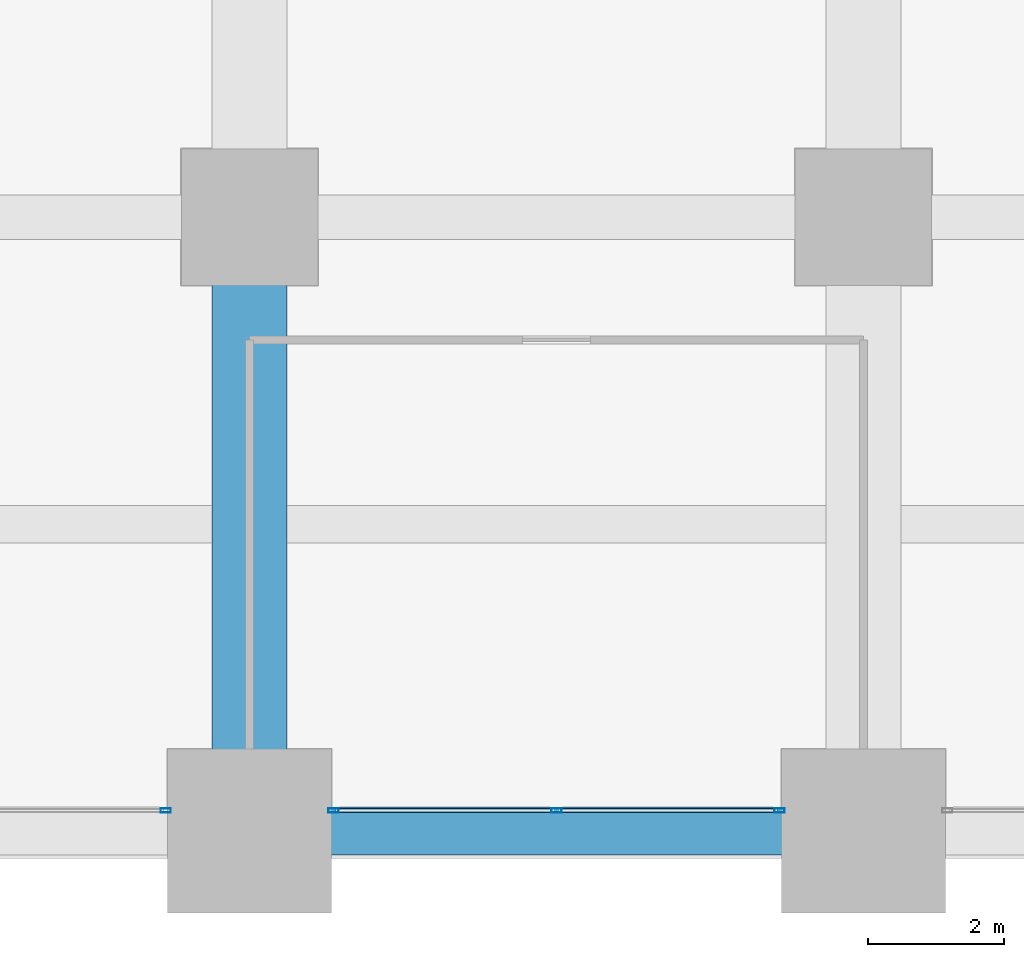
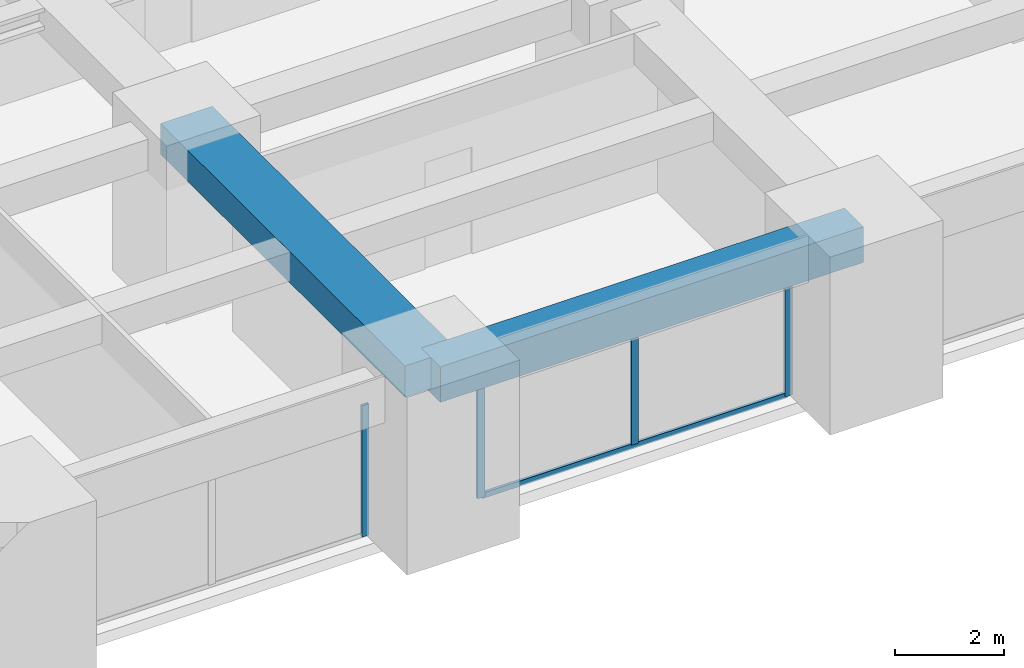
# One storey, part 13 of 39: 5 members, 2 beams, 2 elements without a shape of their own.
"""IFC4 building model written with IfcOpenShell, lengths in metres."""

from ifc_helpers import new_model, si_unit, direction, frame, origin, origin_2d, place, context, subcontext, project, spatial, rectangle, hollow_rectangle, extrude, material, material_profile, profile_set, type_object, element, aggregate, save


model = new_model("IFC4")

# Units and contexts
model_context = context("Model", 3, precision=1e-05, world=origin(), true_north=direction((0.0, 1.0)))
body_context = subcontext(model_context, "Body", "Model", "MODEL_VIEW")
ifc_project = project(units=[si_unit("LENGTHUNIT", "METRE"), si_unit("AREAUNIT", "SQUARE_METRE"), si_unit("VOLUMEUNIT", "CUBIC_METRE"), si_unit("PLANEANGLEUNIT", "RADIAN"), si_unit("MASSUNIT", "GRAM", prefix="KILO")], contexts=[model_context])

# Site, building, storey
site_placement = place(None, origin())
site = spatial("IfcSite", under=ifc_project, at=site_placement, CompositionType="ELEMENT")
building_placement = place(site_placement, origin())
building = spatial("IfcBuilding", under=site, at=building_placement, Name="Zorevar Civic Tower", CompositionType="ELEMENT")
storey_placement = place(building_placement, frame((0.0, 0.0, 121.0)))
storey = spatial("IfcBuildingStorey", under=building, at=storey_placement, Name="L29", CompositionType="ELEMENT", Elevation=121.0)

# Beam
ifc_material_1 = material(Name="Concrete C50/60", Category="concrete")
ifc_material_profile_1 = material_profile(ifc_material_1, rectangle(XDim=1.10009765625, YDim=0.699951171875, at=origin_2d()), Name="RC 1100x700")
ifc_profile_set_1 = profile_set([ifc_material_profile_1], Name="Concrete C50/60")
beam_type_1 = type_object("IfcBeamType", Name="Beam RC 1100x700", PredefinedType="BEAM", material=ifc_profile_set_1)
beam_1_placement = place(storey_placement, frame((36.0, 0.0, 3.39990234375), z_axis=(0.0, 1.0, 0.0), x_axis=(-1.0, 0.0, 0.0)))
element("IfcBeam", 1, at=beam_1_placement, inside=storey, type_object=beam_type_1, Name="Girder L30", PredefinedType="BEAM", context=body_context, shape_type="SweptSolid", body=[
    extrude(rectangle(XDim=1.10009765625, YDim=0.699951171875, at=origin_2d()), origin(), (0.0, 0.0, 1.0), 9.0),
])

# Curtain wall, member
ifc_material_2 = material(Name="Dark grey solar-control glass in black aluminium frame", Category="aluminium")
curtain_wall_type = type_object("IfcCurtainWallType", Name="Curtain wall CW3 mid zone", PredefinedType="NOTDEFINED", material=ifc_material_2)
curtain_wall_1_placement = place(storey_placement, origin())
curtain_wall_1 = element("IfcCurtainWall", 2, at=curtain_wall_1_placement, inside=storey, type_object=curtain_wall_type, Name="CW3 L29", PredefinedType="NOTDEFINED")
ifc_material_3 = material(Name="Aluminium, black anodised", Category="aluminium")
ifc_material_profile_2 = material_profile(ifc_material_3, hollow_rectangle(XDim=0.06005859375, YDim=0.14990234375, WallThickness=0.00390625, at=origin_2d()), Name="AL 150x60x4")
ifc_profile_set_2 = profile_set([ifc_material_profile_2], Name="Aluminium, black anodised")
member_type_1 = type_object("IfcMemberType", Name="CW3 mullion AL 150x60x4", PredefinedType="MULLION", material=ifc_profile_set_2)
member_1_placement = place(storey_placement, frame((34.77001953125, 0.300048828125, 0.0), z_axis=(0.0, 0.0, 1.0), x_axis=(0.0, 1.0, 0.0)))
member_1 = element("IfcMember", 3, at=member_1_placement, type_object=member_type_1, Name="CW3 mullion 3", PredefinedType="MULLION", context=body_context, shape_type="SweptSolid", body=[
    extrude(hollow_rectangle(XDim=0.06005859375, YDim=0.14990234375, WallThickness=0.00390625, at=origin_2d()), origin(), (0.0, 0.0, 1.0), 2.949951171875),
])
aggregate(curtain_wall_1, [member_1])

# Curtain wall, members
curtain_wall_2_placement = place(storey_placement, origin())
curtain_wall_2 = element("IfcCurtainWall", 4, at=curtain_wall_2_placement, inside=storey, type_object=curtain_wall_type, Name="CW3 L29", PredefinedType="NOTDEFINED")
member_2_placement = place(storey_placement, frame((37.22998046875, 0.300048828125, 0.0), z_axis=(0.0, 0.0, 1.0), x_axis=(0.0, 1.0, 0.0)))
member_2 = element("IfcMember", 5, at=member_2_placement, type_object=member_type_1, Name="CW3 mullion 1", PredefinedType="MULLION", context=body_context, shape_type="SweptSolid", body=[
    extrude(hollow_rectangle(XDim=0.06005859375, YDim=0.14990234375, WallThickness=0.00390625, at=origin_2d()), origin(), (0.0, 0.0, 1.0), 2.949951171875),
])
member_3_placement = place(storey_placement, frame((40.5, 0.300048828125, 0.06005859375), z_axis=(0.0, 0.0, 1.0), x_axis=(0.0, 1.0, 0.0)))
member_3 = element("IfcMember", 6, at=member_3_placement, type_object=member_type_1, Name="CW3 mullion 2", PredefinedType="MULLION", context=body_context, shape_type="SweptSolid", body=[
    extrude(hollow_rectangle(XDim=0.06005859375, YDim=0.14990234375, WallThickness=0.00390625, at=origin_2d()), origin(), (0.0, 0.0, 1.0), 2.889892578125),
])
member_4_placement = place(storey_placement, frame((43.77001953125, 0.300048828125, 0.0), z_axis=(0.0, 0.0, 1.0), x_axis=(0.0, 1.0, 0.0)))
member_4 = element("IfcMember", 7, at=member_4_placement, type_object=member_type_1, Name="CW3 mullion 3", PredefinedType="MULLION", context=body_context, shape_type="SweptSolid", body=[
    extrude(hollow_rectangle(XDim=0.06005859375, YDim=0.14990234375, WallThickness=0.00390625, at=origin_2d()), origin(), (0.0, 0.0, 1.0), 2.949951171875),
])
ifc_material_4 = material(Name="Aluminium, black anodised", Category="aluminium")
ifc_material_profile_3 = material_profile(ifc_material_4, hollow_rectangle(XDim=0.06005859375, YDim=0.1201171875, WallThickness=0.0029296875, at=origin_2d()), Name="AL 120x60x3")
ifc_profile_set_3 = profile_set([ifc_material_profile_3], Name="Aluminium, black anodised")
member_type_2 = type_object("IfcMemberType", Name="CW3 transom AL 120x60x3", PredefinedType="USERDEFINED", material=ifc_profile_set_3)
member_5_placement = place(storey_placement, frame((37.260009765625, 0.300048828125, 0.030029296875), z_axis=(1.0, 0.0, 0.0), x_axis=(0.0, 1.0, 0.0)))
member_5 = element("IfcMember", 8, at=member_5_placement, type_object=member_type_2, Name="CW3 sill transom", ObjectType="TRANSOM", PredefinedType="USERDEFINED", context=body_context, shape_type="SweptSolid", body=[
    extrude(hollow_rectangle(XDim=0.06005859375, YDim=0.1201171875, WallThickness=0.0029296875, at=origin_2d()), origin(), (0.0, 0.0, 1.0), 6.47998046875),
])
aggregate(curtain_wall_2, [member_2, member_3, member_4, member_5])

# Beam
ifc_material_5 = material(Name="Concrete C50/60", Category="concrete")
ifc_material_profile_4 = material_profile(ifc_material_5, rectangle(XDim=0.699951171875, YDim=0.800048828125, at=origin_2d()), Name="RC 700x800")
ifc_profile_set_4 = profile_set([ifc_material_profile_4], Name="Concrete C50/60")
beam_type_2 = type_object("IfcBeamType", Name="Edge beam RC 700x800", PredefinedType="SPANDREL", material=ifc_profile_set_4)
beam_2_placement = place(storey_placement, frame((36.0, 0.0, 3.35009765625), z_axis=(1.0, 0.0, 0.0), x_axis=(0.0, 1.0, 0.0)))
element("IfcBeam", 9, at=beam_2_placement, inside=storey, type_object=beam_type_2, Name="Edge beam L30", PredefinedType="SPANDREL", context=body_context, shape_type="SweptSolid", body=[
    extrude(rectangle(XDim=0.699951171875, YDim=0.800048828125, at=origin_2d()), origin(), (0.0, 0.0, 1.0), 9.0),
])

save(model, "model.ifc")
